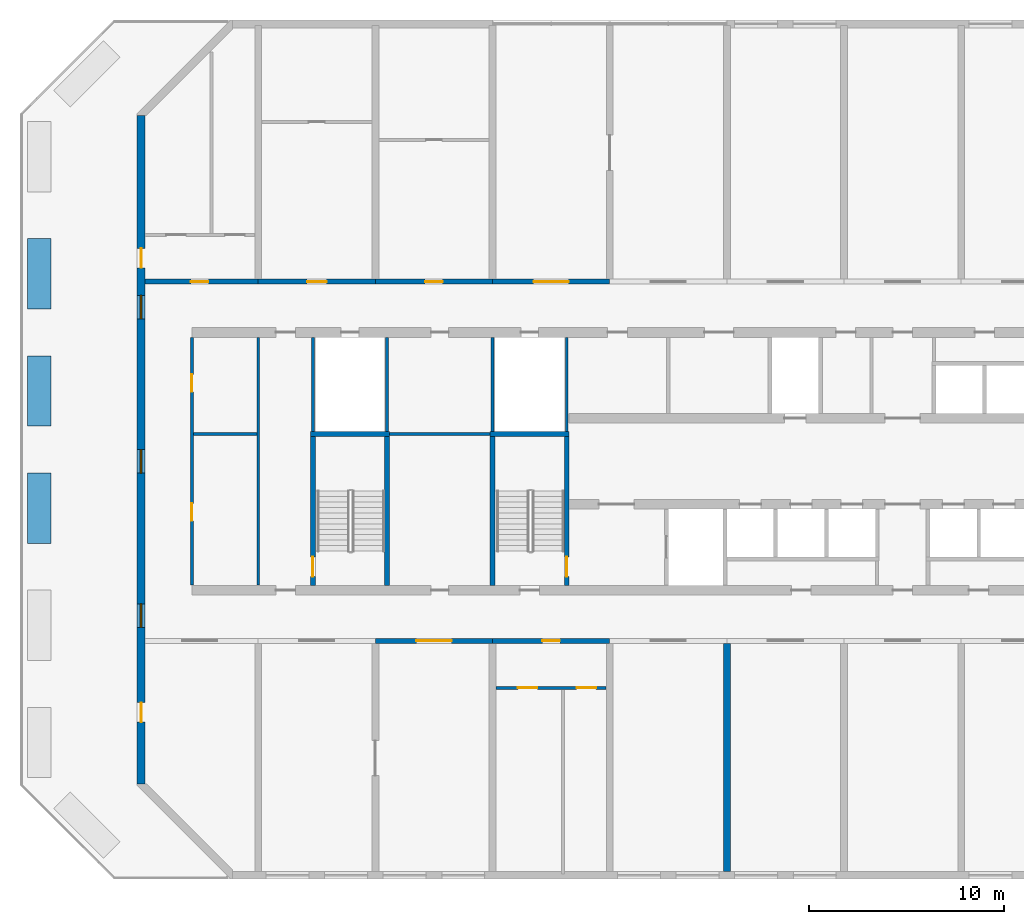
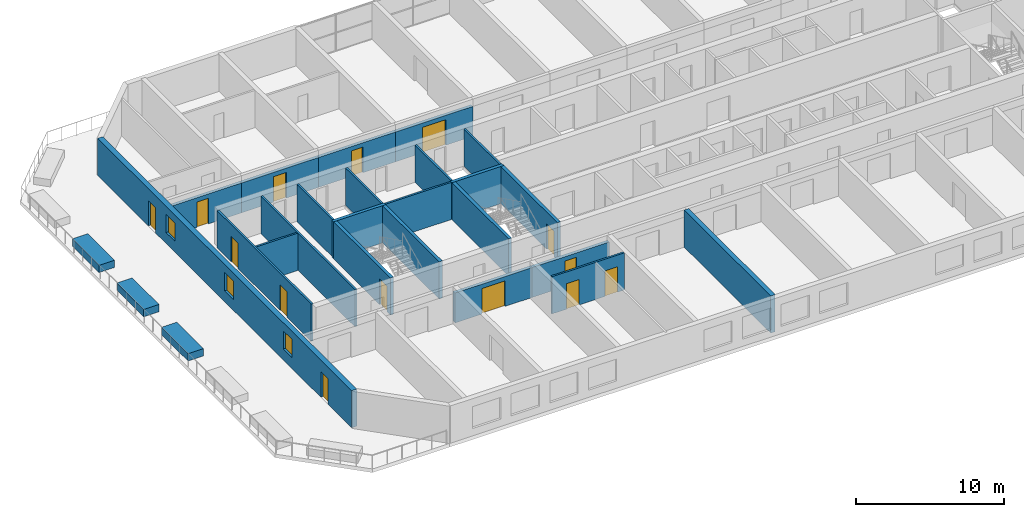
# One storey, part 7 of 18: 26 walls, 14 doors, 3 windows, 17 openings.
"""IFC4 building model written with IfcOpenShell, lengths in metres."""

from ifc_helpers import new_model, si_unit, direction, frame, frame_2d, origin, place, context, subcontext, project, spatial, polyline, rectangle, outline, extrude, source, transform, mapped, material, layer, layer_set, type_object, element, fill, save


model = new_model("IFC4")

# Units and contexts
model_context = context("Model", 3, precision=1e-05, world=origin(), true_north=direction((0.0, 1.0)))
body_context = subcontext(model_context, "Body", "Model", "MODEL_VIEW")
ifc_project = project(units=[si_unit("LENGTHUNIT", "METRE"), si_unit("AREAUNIT", "SQUARE_METRE"), si_unit("VOLUMEUNIT", "CUBIC_METRE"), si_unit("PLANEANGLEUNIT", "RADIAN"), si_unit("MASSUNIT", "GRAM", prefix="KILO")], contexts=[model_context])

# Site, building, storey
site_placement = place(None, origin())
site = spatial("IfcSite", under=ifc_project, at=site_placement, CompositionType="ELEMENT")
building_placement = place(site_placement, origin())
building = spatial("IfcBuilding", under=site, at=building_placement, Name="Poui Terraces", CompositionType="ELEMENT")
storey_placement = place(building_placement, frame((0.0, 0.0, 105.89990234375)))
storey = spatial("IfcBuildingStorey", under=building, at=storey_placement, Name="L29", CompositionType="ELEMENT", Elevation=105.89990234375)

# Wall, openings, doors
ifc_material_1 = material(Name="Fire-rated plasterboard wall")
ifc_layer_1 = layer(ifc_material_1, 0.14990234375)
ifc_layer_set_1 = layer_set([ifc_layer_1], Name="Fire-rated plasterboard wall")
wall_type_1 = type_object("IfcWallType", Name="CORRIDOR WALL 150", PredefinedType="PARTITIONING", material=ifc_layer_set_1)
wall_1_placement = place(storey_placement, frame((30.18505859375, 9.60009765625, 0.0), z_axis=(0.0, 0.0, 1.0), x_axis=(1.0, 0.0, 0.0)))
wall_1 = element("IfcWall", 1, at=wall_1_placement, inside=storey, type_object=wall_type_1, Name="CORRIDOR WALL 150", PredefinedType="PARTITIONING", context=body_context, shape_type="SweptSolid", body=[
    extrude(rectangle(XDim=5.6298828125, YDim=0.14990234375, at=frame_2d((2.81494140625, 0.0))), origin(), (0.0, 0.0, 1.0), 3.06005859375),
])
opening_1_placement = place(wall_1_placement, frame((1.114990234375, 0.0, 0.0)))
opening_1 = element("IfcOpeningElement", 2, at=opening_1_placement, cuts=wall_1, Name="Opening D100", PredefinedType="OPENING", context=body_context, shape_type="SweptSolid", body=[
    extrude(rectangle(XDim=1.0, YDim=2.10009765625, at=frame_2d((0.5, 1.050048828125))), frame((0.0, 0.0849609375, 0.0), z_axis=(0.0, -1.0, 0.0), x_axis=(1.0, 0.0, 0.0)), (0.0, 0.0, 1.0), 0.169921875),
])
opening_2_placement = place(wall_1_placement, frame((4.114990234375, 0.0, 0.0)))
opening_2 = element("IfcOpeningElement", 3, at=opening_2_placement, cuts=wall_1, Name="Opening D100", PredefinedType="OPENING", context=body_context, shape_type="SweptSolid", body=[
    extrude(rectangle(XDim=1.0, YDim=2.10009765625, at=frame_2d((0.5, 1.050048828125))), frame((0.0, 0.0849609375, 0.0), z_axis=(0.0, -1.0, 0.0), x_axis=(1.0, 0.0, 0.0)), (0.0, 0.0, 1.0), 0.169921875),
])
ifc_material_2 = material(Name="Solid core timber door", Category="wood")
door_type_1 = type_object("IfcDoorType", Name="ACCESSIBLE INTERNAL DOOR 1000 X 2100", OperationType="NOTDEFINED", PredefinedType="DOOR", material=ifc_material_2)
door_1_placement = place(opening_1_placement, origin())
door_1 = element("IfcDoor", 4, at=door_1_placement, inside=storey, type_object=door_type_1, Name="ACCESSIBLE INTERNAL DOOR 067", OperationType="SINGLE_SWING_LEFT", OverallHeight=2.10009765625, OverallWidth=1.0, PredefinedType="DOOR", context=body_context, shape_type="SweptSolid", body=[
    extrude(rectangle(XDim=1.0, YDim=2.10009765625, at=frame_2d((0.5, 1.050048828125))), frame((0.0, 0.02490234375, 0.0), z_axis=(0.0, -1.0, 0.0), x_axis=(1.0, 0.0, 0.0)), (0.0, 0.0, 1.0), 0.050048828125),
])
fill(opening_1, door_1)
door_2_placement = place(opening_2_placement, origin())
door_2 = element("IfcDoor", 5, at=door_2_placement, inside=storey, type_object=door_type_1, Name="ACCESSIBLE INTERNAL DOOR 068", OperationType="SINGLE_SWING_RIGHT", OverallHeight=2.10009765625, OverallWidth=1.0, PredefinedType="DOOR", context=body_context, shape_type="SweptSolid", body=[
    extrude(rectangle(XDim=1.0, YDim=2.10009765625, at=frame_2d((0.5, 1.050048828125))), frame((0.0, 0.02490234375, 0.0), z_axis=(0.0, -1.0, 0.0), x_axis=(1.0, 0.0, 0.0)), (0.0, 0.0, 1.0), 0.050048828125),
])
fill(opening_2, door_2)

wall_2_placement = place(storey_placement, frame((14.60009765625, 14.860107421875, 0.0), z_axis=(0.0, 0.0, 1.0), x_axis=(0.0, 1.0, 0.0)))
wall_2 = element("IfcWall", 6, at=wall_2_placement, inside=storey, type_object=wall_type_1, Name="CORRIDOR WALL 150", PredefinedType="PARTITIONING", context=body_context, shape_type="SweptSolid", body=[
    extrude(rectangle(XDim=12.679931640625, YDim=0.14990234375, at=frame_2d((6.33984375, 0.0))), origin(), (0.0, 0.0, 1.0), 3.06005859375),
])
opening_3_placement = place(wall_2_placement, frame((3.2900390625, 0.0, 0.0)))
opening_3 = element("IfcOpeningElement", 7, at=opening_3_placement, cuts=wall_2, Name="Opening D90", PredefinedType="OPENING", context=body_context, shape_type="SweptSolid", body=[
    extrude(rectangle(XDim=0.89990234375, YDim=2.10009765625, at=frame_2d((0.449951171875, 1.050048828125))), frame((0.0, 0.0849609375, 0.0), z_axis=(0.0, -1.0, 0.0), x_axis=(1.0, 0.0, 0.0)), (0.0, 0.0, 1.0), 0.169921875),
])
opening_4_placement = place(wall_2_placement, frame((9.889892578125, 0.0, 0.0)))
opening_4 = element("IfcOpeningElement", 8, at=opening_4_placement, cuts=wall_2, Name="Opening D90", PredefinedType="OPENING", context=body_context, shape_type="SweptSolid", body=[
    extrude(rectangle(XDim=0.89990234375, YDim=2.10009765625, at=frame_2d((0.449951171875, 1.050048828125))), frame((0.0, 0.0849609375, 0.0), z_axis=(0.0, -1.0, 0.0), x_axis=(1.0, 0.0, 0.0)), (0.0, 0.0, 1.0), 0.169921875),
])
door_type_2 = type_object("IfcDoorType", Name="INTERNAL DOOR 900 X 2100", OperationType="NOTDEFINED", PredefinedType="DOOR", material=ifc_material_2)
door_3_placement = place(opening_3_placement, origin())
door_3 = element("IfcDoor", 9, at=door_3_placement, inside=storey, type_object=door_type_2, Name="INTERNAL DOOR 054", OperationType="SINGLE_SWING_LEFT", OverallHeight=2.10009765625, OverallWidth=0.89990234375, PredefinedType="DOOR", context=body_context, shape_type="SweptSolid", body=[
    extrude(rectangle(XDim=0.89990234375, YDim=2.10009765625, at=frame_2d((0.449951171875, 1.050048828125))), frame((0.0, 0.02490234375, 0.0), z_axis=(0.0, -1.0, 0.0), x_axis=(1.0, 0.0, 0.0)), (0.0, 0.0, 1.0), 0.050048828125),
])
fill(opening_3, door_3)
door_4_placement = place(opening_4_placement, origin())
door_4 = element("IfcDoor", 10, at=door_4_placement, inside=storey, type_object=door_type_2, Name="INTERNAL DOOR 055", OperationType="SINGLE_SWING_RIGHT", OverallHeight=2.10009765625, OverallWidth=0.89990234375, PredefinedType="DOOR", context=body_context, shape_type="SweptSolid", body=[
    extrude(rectangle(XDim=0.89990234375, YDim=2.10009765625, at=frame_2d((0.449951171875, 1.050048828125))), frame((0.0, 0.02490234375, 0.0), z_axis=(0.0, -1.0, 0.0), x_axis=(1.0, 0.0, 0.0)), (0.0, 0.0, 1.0), 0.050048828125),
])
fill(opening_4, door_4)

# Wall
wall_3_placement = place(storey_placement, frame((18.0, 14.860107421875, 0.0), z_axis=(0.0, 0.0, 1.0), x_axis=(0.0, 1.0, 0.0)))
element("IfcWall", 11, at=wall_3_placement, inside=storey, type_object=wall_type_1, Name="CORRIDOR WALL 150", PredefinedType="PARTITIONING", context=body_context, shape_type="SweptSolid", body=[
    extrude(rectangle(XDim=12.679931640625, YDim=0.14990234375, at=frame_2d((6.33984375, 0.0))), origin(), (0.0, 0.0, 1.0), 3.06005859375),
])

# Wall, opening, door
ifc_material_3 = material(Name="Concrete 65 MPa", Category="concrete")
ifc_layer_2 = layer(ifc_material_3, 0.25)
ifc_layer_set_2 = layer_set([ifc_layer_2], Name="Concrete 65 MPa")
wall_type_2 = type_object("IfcWallType", Name="CORRIDOR WALL 250 65MPa", PredefinedType="SHEAR", material=ifc_layer_set_2)
wall_4_placement = place(storey_placement, frame((24.0, 12.0, 0.0), z_axis=(0.0, 0.0, 1.0), x_axis=(1.0, 0.0, 0.0)))
wall_4 = element("IfcWall", 12, at=wall_4_placement, inside=storey, type_object=wall_type_2, Name="CORRIDOR WALL LINE B BAY 3", PredefinedType="SHEAR", context=body_context, shape_type="SweptSolid", body=[
    extrude(rectangle(XDim=6.0, YDim=0.25, at=frame_2d((3.0, 0.0))), origin(), (0.0, 0.0, 1.0), 2.460205078125),
])
opening_5_placement = place(wall_4_placement, frame((2.10009765625, 0.0, 0.0)))
opening_5 = element("IfcOpeningElement", 13, at=opening_5_placement, cuts=wall_4, Name="Opening DD180", PredefinedType="OPENING", context=body_context, shape_type="SweptSolid", body=[
    extrude(rectangle(XDim=1.800048828125, YDim=2.10009765625, at=frame_2d((0.89990234375, 1.050048828125))), frame((0.0, 0.135009765625, 0.0), z_axis=(0.0, -1.0, 0.0), x_axis=(1.0, 0.0, 0.0)), (0.0, 0.0, 1.0), 0.27001953125),
])
ifc_material_4 = material(Name="Steel fire door", Category="steel")
door_type_3 = type_object("IfcDoorType", Name="DOUBLE INTERNAL DOOR 1800 X 2100", OperationType="DOUBLE_DOOR_SINGLE_SWING", PredefinedType="DOOR", material=ifc_material_4)
door_5_placement = place(opening_5_placement, origin())
door_5 = element("IfcDoor", 14, at=door_5_placement, inside=storey, type_object=door_type_3, Name="DOUBLE INTERNAL DOOR 034", OperationType="DOUBLE_DOOR_SINGLE_SWING", OverallHeight=2.10009765625, OverallWidth=1.800048828125, PredefinedType="DOOR", context=body_context, shape_type="SweptSolid", body=[
    extrude(rectangle(XDim=1.800048828125, YDim=2.10009765625, at=frame_2d((0.89990234375, 1.050048828125))), frame((0.0, 0.02490234375, 0.0), z_axis=(0.0, -1.0, 0.0), x_axis=(1.0, 0.0, 0.0)), (0.0, 0.0, 1.0), 0.050048828125),
])
fill(opening_5, door_5)

wall_5_placement = place(storey_placement, frame((30.0, 12.0, 0.0), z_axis=(0.0, 0.0, 1.0), x_axis=(1.0, 0.0, 0.0)))
wall_5 = element("IfcWall", 15, at=wall_5_placement, inside=storey, type_object=wall_type_2, Name="CORRIDOR WALL LINE B BAY 4", PredefinedType="SHEAR", context=body_context, shape_type="SweptSolid", body=[
    extrude(rectangle(XDim=6.0, YDim=0.25, at=frame_2d((3.0, 0.0))), origin(), (0.0, 0.0, 1.0), 2.460205078125),
])
opening_6_placement = place(wall_5_placement, frame((2.550048828125, 0.0, 0.0)))
opening_6 = element("IfcOpeningElement", 16, at=opening_6_placement, cuts=wall_5, Name="Opening D90", PredefinedType="OPENING", context=body_context, shape_type="SweptSolid", body=[
    extrude(rectangle(XDim=0.89990234375, YDim=2.10009765625, at=frame_2d((0.449951171875, 1.050048828125))), frame((0.0, 0.135009765625, 0.0), z_axis=(0.0, -1.0, 0.0), x_axis=(1.0, 0.0, 0.0)), (0.0, 0.0, 1.0), 0.27001953125),
])
door_6_placement = place(opening_6_placement, origin())
door_6 = element("IfcDoor", 17, at=door_6_placement, inside=storey, type_object=door_type_2, Name="INTERNAL DOOR 037", OperationType="SINGLE_SWING_RIGHT", OverallHeight=2.10009765625, OverallWidth=0.89990234375, PredefinedType="DOOR", context=body_context, shape_type="SweptSolid", body=[
    extrude(rectangle(XDim=0.89990234375, YDim=2.10009765625, at=frame_2d((0.449951171875, 1.050048828125))), frame((0.0, 0.02490234375, 0.0), z_axis=(0.0, -1.0, 0.0), x_axis=(1.0, 0.0, 0.0)), (0.0, 0.0, 1.0), 0.050048828125),
])
fill(opening_6, door_6)

wall_6_placement = place(storey_placement, frame((12.199951171875, 30.39990234375, 0.0), z_axis=(0.0, 0.0, 1.0), x_axis=(1.0, 0.0, 0.0)))
wall_6 = element("IfcWall", 18, at=wall_6_placement, inside=storey, type_object=wall_type_2, Name="CORRIDOR WALL LINE E BAY 1", PredefinedType="SHEAR", context=body_context, shape_type="SweptSolid", body=[
    extrude(rectangle(XDim=5.800048828125, YDim=0.25, at=frame_2d((2.89990234375, 0.0))), origin(), (0.0, 0.0, 1.0), 2.460205078125),
])
opening_7_placement = place(wall_6_placement, frame((2.35009765625, 0.0, 0.0)))
opening_7 = element("IfcOpeningElement", 19, at=opening_7_placement, cuts=wall_6, Name="Opening D90", PredefinedType="OPENING", context=body_context, shape_type="SweptSolid", body=[
    extrude(rectangle(XDim=0.89990234375, YDim=2.10009765625, at=frame_2d((0.449951171875, 1.050048828125))), frame((0.0, 0.135009765625, 0.0), z_axis=(0.0, -1.0, 0.0), x_axis=(1.0, 0.0, 0.0)), (0.0, 0.0, 1.0), 0.27001953125),
])
door_7_placement = place(opening_7_placement, frame((0.89990234375, 0.0, 0.0), z_axis=(0.0, 0.0, 1.0), x_axis=(-1.0, 0.0, 0.0)))
door_7 = element("IfcDoor", 20, at=door_7_placement, inside=storey, type_object=door_type_2, Name="INTERNAL DOOR 003", OperationType="SINGLE_SWING_RIGHT", OverallHeight=2.10009765625, OverallWidth=0.89990234375, PredefinedType="DOOR", context=body_context, shape_type="SweptSolid", body=[
    extrude(rectangle(XDim=0.89990234375, YDim=2.10009765625, at=frame_2d((0.449951171875, 1.050048828125))), frame((0.0, 0.02490234375, 0.0), z_axis=(0.0, -1.0, 0.0), x_axis=(1.0, 0.0, 0.0)), (0.0, 0.0, 1.0), 0.050048828125),
])
fill(opening_7, door_7)

wall_7_placement = place(storey_placement, frame((18.0, 30.39990234375, 0.0), z_axis=(0.0, 0.0, 1.0), x_axis=(1.0, 0.0, 0.0)))
wall_7 = element("IfcWall", 21, at=wall_7_placement, inside=storey, type_object=wall_type_2, Name="CORRIDOR WALL LINE E BAY 2", PredefinedType="SHEAR", context=body_context, shape_type="SweptSolid", body=[
    extrude(rectangle(XDim=6.0, YDim=0.25, at=frame_2d((3.0, 0.0))), origin(), (0.0, 0.0, 1.0), 2.460205078125),
])
opening_8_placement = place(wall_7_placement, frame((2.5, 0.0, 0.0)))
opening_8 = element("IfcOpeningElement", 22, at=opening_8_placement, cuts=wall_7, Name="Opening D100", PredefinedType="OPENING", context=body_context, shape_type="SweptSolid", body=[
    extrude(rectangle(XDim=1.0, YDim=2.10009765625, at=frame_2d((0.5, 1.050048828125))), frame((0.0, 0.135009765625, 0.0), z_axis=(0.0, -1.0, 0.0), x_axis=(1.0, 0.0, 0.0)), (0.0, 0.0, 1.0), 0.27001953125),
])
door_8_placement = place(opening_8_placement, frame((1.0, 0.0, 0.0), z_axis=(0.0, 0.0, 1.0), x_axis=(-1.0, 0.0, 0.0)))
door_8 = element("IfcDoor", 23, at=door_8_placement, inside=storey, type_object=door_type_1, Name="ACCESSIBLE INTERNAL DOOR 005", OperationType="SINGLE_SWING_LEFT", OverallHeight=2.10009765625, OverallWidth=1.0, PredefinedType="DOOR", context=body_context, shape_type="SweptSolid", body=[
    extrude(rectangle(XDim=1.0, YDim=2.10009765625, at=frame_2d((0.5, 1.050048828125))), frame((0.0, 0.02490234375, 0.0), z_axis=(0.0, -1.0, 0.0), x_axis=(1.0, 0.0, 0.0)), (0.0, 0.0, 1.0), 0.050048828125),
])
fill(opening_8, door_8)

wall_8_placement = place(storey_placement, frame((24.0, 30.39990234375, 0.0), z_axis=(0.0, 0.0, 1.0), x_axis=(1.0, 0.0, 0.0)))
wall_8 = element("IfcWall", 24, at=wall_8_placement, inside=storey, type_object=wall_type_2, Name="CORRIDOR WALL LINE E BAY 3", PredefinedType="SHEAR", context=body_context, shape_type="SweptSolid", body=[
    extrude(rectangle(XDim=6.0, YDim=0.25, at=frame_2d((3.0, 0.0))), origin(), (0.0, 0.0, 1.0), 2.460205078125),
])
opening_9_placement = place(wall_8_placement, frame((2.550048828125, 0.0, 0.0)))
opening_9 = element("IfcOpeningElement", 25, at=opening_9_placement, cuts=wall_8, Name="Opening D90", PredefinedType="OPENING", context=body_context, shape_type="SweptSolid", body=[
    extrude(rectangle(XDim=0.89990234375, YDim=2.10009765625, at=frame_2d((0.449951171875, 1.050048828125))), frame((0.0, 0.135009765625, 0.0), z_axis=(0.0, -1.0, 0.0), x_axis=(1.0, 0.0, 0.0)), (0.0, 0.0, 1.0), 0.27001953125),
])
door_9_placement = place(opening_9_placement, frame((0.89990234375, 0.0, 0.0), z_axis=(0.0, 0.0, 1.0), x_axis=(-1.0, 0.0, 0.0)))
door_9 = element("IfcDoor", 26, at=door_9_placement, inside=storey, type_object=door_type_2, Name="INTERNAL DOOR 007", OperationType="SINGLE_SWING_RIGHT", OverallHeight=2.10009765625, OverallWidth=0.89990234375, PredefinedType="DOOR", context=body_context, shape_type="SweptSolid", body=[
    extrude(rectangle(XDim=0.89990234375, YDim=2.10009765625, at=frame_2d((0.449951171875, 1.050048828125))), frame((0.0, 0.02490234375, 0.0), z_axis=(0.0, -1.0, 0.0), x_axis=(1.0, 0.0, 0.0)), (0.0, 0.0, 1.0), 0.050048828125),
])
fill(opening_9, door_9)

wall_9_placement = place(storey_placement, frame((30.0, 30.39990234375, 0.0), z_axis=(0.0, 0.0, 1.0), x_axis=(1.0, 0.0, 0.0)))
wall_9 = element("IfcWall", 27, at=wall_9_placement, inside=storey, type_object=wall_type_2, Name="CORRIDOR WALL LINE E BAY 4", PredefinedType="SHEAR", context=body_context, shape_type="SweptSolid", body=[
    extrude(rectangle(XDim=6.0, YDim=0.25, at=frame_2d((3.0, 0.0))), origin(), (0.0, 0.0, 1.0), 2.460205078125),
])
opening_10_placement = place(wall_9_placement, frame((2.10009765625, 0.0, 0.0)))
opening_10 = element("IfcOpeningElement", 28, at=opening_10_placement, cuts=wall_9, Name="Opening DD180", PredefinedType="OPENING", context=body_context, shape_type="SweptSolid", body=[
    extrude(rectangle(XDim=1.800048828125, YDim=2.10009765625, at=frame_2d((0.89990234375, 1.050048828125))), frame((0.0, 0.135009765625, 0.0), z_axis=(0.0, -1.0, 0.0), x_axis=(1.0, 0.0, 0.0)), (0.0, 0.0, 1.0), 0.27001953125),
])
door_10_placement = place(opening_10_placement, frame((1.800048828125, 0.0, 0.0), z_axis=(0.0, 0.0, 1.0), x_axis=(-1.0, 0.0, 0.0)))
door_10 = element("IfcDoor", 29, at=door_10_placement, inside=storey, type_object=door_type_3, Name="DOUBLE INTERNAL DOOR 010", OperationType="DOUBLE_DOOR_SINGLE_SWING", OverallHeight=2.10009765625, OverallWidth=1.800048828125, PredefinedType="DOOR", context=body_context, shape_type="SweptSolid", body=[
    extrude(rectangle(XDim=1.800048828125, YDim=2.10009765625, at=frame_2d((0.89990234375, 1.050048828125))), frame((0.0, 0.02490234375, 0.0), z_axis=(0.0, -1.0, 0.0), x_axis=(1.0, 0.0, 0.0)), (0.0, 0.0, 1.0), 0.050048828125),
])
fill(opening_10, door_10)

# Wall
ifc_layer_3 = layer(ifc_material_3, 0.35009765625)
ifc_layer_set_3 = layer_set([ifc_layer_3], Name="Concrete 65 MPa")
wall_type_3 = type_object("IfcWallType", Name="CROSS WALL 350 65MPa", PredefinedType="SHEAR", material=ifc_layer_set_3)
wall_10_placement = place(storey_placement, frame((42.0, 0.199951171875, 0.0), z_axis=(0.0, 0.0, 1.0), x_axis=(0.0, 1.0, 0.0)))
element("IfcWall", 30, at=wall_10_placement, inside=storey, type_object=wall_type_3, Name="CROSS WALL LINE 8 SOUTH", PredefinedType="SHEAR", context=body_context, shape_type="SweptSolid", body=[
    extrude(rectangle(XDim=11.675048828125, YDim=0.35009765625, at=frame_2d((5.83740234375, 0.0))), origin(), (0.0, 0.0, 1.0), 3.06005859375),
])

# Wall, openings, doors, windows
ifc_layer_4 = layer(ifc_material_3, 0.39990234375)
ifc_layer_set_4 = layer_set([ifc_layer_4], Name="Concrete 65 MPa")
wall_type_4 = type_object("IfcWallType", Name="END WALL 400 65MPa", PredefinedType="SHEAR", material=ifc_layer_set_4)
wall_11_placement = place(storey_placement, frame((12.0, 4.682861328125, 0.0), z_axis=(0.0, 0.0, 1.0), x_axis=(0.0, 1.0, 0.0)))
wall_11 = element("IfcWall", 31, at=wall_11_placement, inside=storey, type_object=wall_type_4, Name="END WALL WEST", PredefinedType="SHEAR", context=body_context, shape_type="SweptSolid", body=[
    extrude(rectangle(XDim=34.234375, YDim=0.39990234375, at=frame_2d((17.1171875, 0.0))), origin(), (0.0, 0.0, 1.0), 3.06005859375),
])
opening_11_placement = place(wall_11_placement, frame((23.817138671875, 0.0, 0.89990234375)))
opening_11 = element("IfcOpeningElement", 32, at=opening_11_placement, cuts=wall_11, Name="Opening W2", PredefinedType="OPENING", context=body_context, shape_type="SweptSolid", body=[
    extrude(rectangle(XDim=1.199951171875, YDim=1.5, at=frame_2d((0.60009765625, 0.75))), frame((0.0, 0.2099609375, 0.0), z_axis=(0.0, -1.0, 0.0), x_axis=(1.0, 0.0, 0.0)), (0.0, 0.0, 1.0), 0.419921875),
])
opening_12_placement = place(wall_11_placement, frame((8.01708984375, 0.0, 0.89990234375)))
opening_12 = element("IfcOpeningElement", 33, at=opening_12_placement, cuts=wall_11, Name="Opening W2", PredefinedType="OPENING", context=body_context, shape_type="SweptSolid", body=[
    extrude(rectangle(XDim=1.199951171875, YDim=1.5, at=frame_2d((0.60009765625, 0.75))), frame((0.0, 0.2099609375, 0.0), z_axis=(0.0, -1.0, 0.0), x_axis=(1.0, 0.0, 0.0)), (0.0, 0.0, 1.0), 0.419921875),
])
opening_13_placement = place(wall_11_placement, frame((15.917236328125, 0.0, 0.89990234375)))
opening_13 = element("IfcOpeningElement", 34, at=opening_13_placement, cuts=wall_11, Name="Opening W2", PredefinedType="OPENING", context=body_context, shape_type="SweptSolid", body=[
    extrude(rectangle(XDim=1.199951171875, YDim=1.5, at=frame_2d((0.60009765625, 0.75))), frame((0.0, 0.2099609375, 0.0), z_axis=(0.0, -1.0, 0.0), x_axis=(1.0, 0.0, 0.0)), (0.0, 0.0, 1.0), 0.419921875),
])
opening_14_placement = place(wall_11_placement, frame((26.417236328125, 0.0, 0.0)))
opening_14 = element("IfcOpeningElement", 35, at=opening_14_placement, cuts=wall_11, Name="Opening XD100", PredefinedType="OPENING", context=body_context, shape_type="SweptSolid", body=[
    extrude(rectangle(XDim=1.0, YDim=2.10009765625, at=frame_2d((0.5, 1.050048828125))), frame((0.0, 0.2099609375, 0.0), z_axis=(0.0, -1.0, 0.0), x_axis=(1.0, 0.0, 0.0)), (0.0, 0.0, 1.0), 0.419921875),
])
opening_15_placement = place(wall_11_placement, frame((3.15869140625, 0.0, 0.0)))
opening_15 = element("IfcOpeningElement", 36, at=opening_15_placement, cuts=wall_11, Name="Opening XD100", PredefinedType="OPENING", context=body_context, shape_type="SweptSolid", body=[
    extrude(rectangle(XDim=1.0, YDim=2.10009765625, at=frame_2d((0.5, 1.050048828125))), frame((0.0, 0.2099609375, 0.0), z_axis=(0.0, -1.0, 0.0), x_axis=(1.0, 0.0, 0.0)), (0.0, 0.0, 1.0), 0.419921875),
])
ifc_material_5 = material(Name="Aluminium glazed door", Category="aluminium")
door_type_4 = type_object("IfcDoorType", Name="EXTERNAL DOOR 1000 X 2100", OperationType="NOTDEFINED", PredefinedType="DOOR", material=ifc_material_5)
door_11_placement = place(opening_14_placement, origin())
door_11 = element("IfcDoor", 37, at=door_11_placement, inside=storey, type_object=door_type_4, Name="EXTERNAL DOOR 056", OperationType="SINGLE_SWING_RIGHT", OverallHeight=2.10009765625, OverallWidth=1.0, PredefinedType="DOOR", context=body_context, shape_type="SweptSolid", body=[
    extrude(rectangle(XDim=1.0, YDim=2.10009765625, at=frame_2d((0.5, 1.050048828125))), frame((0.0, 0.02490234375, 0.0), z_axis=(0.0, -1.0, 0.0), x_axis=(1.0, 0.0, 0.0)), (0.0, 0.0, 1.0), 0.050048828125),
])
fill(opening_14, door_11)
door_12_placement = place(opening_15_placement, origin())
door_12 = element("IfcDoor", 38, at=door_12_placement, inside=storey, type_object=door_type_4, Name="EXTERNAL DOOR 065", OperationType="SINGLE_SWING_RIGHT", OverallHeight=2.10009765625, OverallWidth=1.0, PredefinedType="DOOR", context=body_context, shape_type="SweptSolid", body=[
    extrude(rectangle(XDim=1.0, YDim=2.10009765625, at=frame_2d((0.5, 1.050048828125))), frame((0.0, 0.02490234375, 0.0), z_axis=(0.0, -1.0, 0.0), x_axis=(1.0, 0.0, 0.0)), (0.0, 0.0, 1.0), 0.050048828125),
])
fill(opening_15, door_12)
ifc_material_6 = material(Name="Clear glass in aluminium frame", Category="aluminium")
window_type = type_object("IfcWindowType", Name="WINDOW 1200X1500", PartitioningType="SINGLE_PANEL", PredefinedType="WINDOW", material=ifc_material_6)
window_1_placement = place(opening_11_placement, origin())
window_1 = element("IfcWindow", 39, at=window_1_placement, inside=storey, type_object=window_type, Name="W2 WINDOW", OverallHeight=1.5, OverallWidth=1.199951171875, PartitioningType="SINGLE_PANEL", PredefinedType="WINDOW", context=body_context, shape_type="SweptSolid", body=[
    extrude(rectangle(XDim=1.199951171875, YDim=1.5, at=frame_2d((0.60009765625, 0.75))), frame((0.0, 0.030029296875, 0.0), z_axis=(0.0, -1.0, 0.0), x_axis=(1.0, 0.0, 0.0)), (0.0, 0.0, 1.0), 0.06005859375),
])
fill(opening_11, window_1)
window_2_placement = place(opening_12_placement, origin())
window_2 = element("IfcWindow", 40, at=window_2_placement, inside=storey, type_object=window_type, Name="W2 WINDOW", OverallHeight=1.5, OverallWidth=1.199951171875, PartitioningType="SINGLE_PANEL", PredefinedType="WINDOW", context=body_context, shape_type="SweptSolid", body=[
    extrude(rectangle(XDim=1.199951171875, YDim=1.5, at=frame_2d((0.60009765625, 0.75))), frame((0.0, 0.030029296875, 0.0), z_axis=(0.0, -1.0, 0.0), x_axis=(1.0, 0.0, 0.0)), (0.0, 0.0, 1.0), 0.06005859375),
])
fill(opening_12, window_2)
window_3_placement = place(opening_13_placement, origin())
window_3 = element("IfcWindow", 41, at=window_3_placement, inside=storey, type_object=window_type, Name="W2 WINDOW", OverallHeight=1.5, OverallWidth=1.199951171875, PartitioningType="SINGLE_PANEL", PredefinedType="WINDOW", context=body_context, shape_type="SweptSolid", body=[
    extrude(rectangle(XDim=1.199951171875, YDim=1.5, at=frame_2d((0.60009765625, 0.75))), frame((0.0, 0.030029296875, 0.0), z_axis=(0.0, -1.0, 0.0), x_axis=(1.0, 0.0, 0.0)), (0.0, 0.0, 1.0), 0.06005859375),
])
fill(opening_13, window_3)

# Walls
ifc_material_7 = material(Name="Plasterboard partition")
ifc_layer_5 = layer(ifc_material_7, 0.14990234375)
ifc_layer_set_5 = layer_set([ifc_layer_5], Name="Plasterboard partition")
wall_type_5 = type_object("IfcWallType", Name="PARTITION WALL 150", PredefinedType="PARTITIONING", material=ifc_layer_set_5)
wall_12_placement = place(storey_placement, frame((14.675048828125, 22.60009765625, 0.0), z_axis=(0.0, 0.0, 1.0), x_axis=(1.0, 0.0, 0.0)))
element("IfcWall", 42, at=wall_12_placement, inside=storey, type_object=wall_type_5, Name="PARTITION WALL 150", PredefinedType="PARTITIONING", context=body_context, shape_type="SweptSolid", body=[
    extrude(rectangle(XDim=3.25, YDim=0.14990234375, at=frame_2d((1.625, 0.0))), origin(), (0.0, 0.0, 1.0), 3.06005859375),
])
wall_13_placement = place(storey_placement, frame((24.735107421875, 22.60009765625, 0.0), z_axis=(0.0, 0.0, 1.0), x_axis=(1.0, 0.0, 0.0)))
element("IfcWall", 43, at=wall_13_placement, inside=storey, type_object=wall_type_5, Name="PARTITION WALL 150", PredefinedType="PARTITIONING", context=body_context, shape_type="SweptSolid", body=[
    extrude(rectangle(XDim=5.1298828125, YDim=0.14990234375, at=frame_2d((2.56494140625, 0.0))), origin(), (0.0, 0.0, 1.0), 3.06005859375),
])
ifc_material_8 = material(Name="Fire-rated plasterboard riser wall")
ifc_layer_6 = layer(ifc_material_8, 0.14990234375)
ifc_layer_set_6 = layer_set([ifc_layer_6], Name="Fire-rated plasterboard riser wall")
wall_type_6 = type_object("IfcWallType", Name="RISER WALL 150", PredefinedType="PARTITIONING", material=ifc_layer_set_6)
for number, where, z_axis, x_axis, name in (
    (44, (20.800048828125, 22.735107421875, 0.0), (0.0, 0.0, 1.0), (0.0, 1.0, 0.0), "RISER WALL 150"),
    (45, (24.60009765625, 22.735107421875, 0.0), (0.0, 0.0, 1.0), (0.0, 1.0, 0.0), "RISER WALL 150"),
    (46, (30.0, 22.735107421875, 0.0), (0.0, 0.0, 1.0), (0.0, 1.0, 0.0), "RISER WALL 150"),
    (47, (33.800048828125, 22.735107421875, 0.0), (0.0, 0.0, 1.0), (0.0, 1.0, 0.0), "RISER WALL 150"),
):
    element("IfcWall", number, at=place(storey_placement, frame(where, z_axis=z_axis, x_axis=x_axis)), inside=storey, type_object=wall_type_6, Name=name, PredefinedType="PARTITIONING", context=body_context, shape_type="SweptSolid", body=[
        extrude(rectangle(XDim=4.804931640625, YDim=0.14990234375, at=frame_2d((2.40234375, 0.0))), origin(), (0.0, 0.0, 1.0), 3.06005859375),
    ])
ifc_layer_7 = layer(ifc_material_3, 0.25)
ifc_layer_set_7 = layer_set([ifc_layer_7], Name="Concrete 65 MPa")
wall_type_7 = type_object("IfcWallType", Name="STAIR CORE WALL 250 65 MPA", PredefinedType="SOLIDWALL", material=ifc_layer_set_7)
wall_14_placement = place(storey_placement, frame((30.0, 14.85009765625, 0.0), z_axis=(0.0, 0.0, 1.0), x_axis=(0.0, 1.0, 0.0)))
element("IfcWall", 48, at=wall_14_placement, inside=storey, type_object=wall_type_7, Name="STAIR CORE WALL", PredefinedType="SOLIDWALL", context=body_context, shape_type="SweptSolid", body=[
    extrude(rectangle(XDim=7.625, YDim=0.25, at=frame_2d((3.8125, 0.0))), origin(), (0.0, 0.0, 1.0), 3.06005859375),
])

# Wall, opening, door
wall_15_placement = place(storey_placement, frame((33.800048828125, 14.85009765625, 0.0), z_axis=(0.0, 0.0, 1.0), x_axis=(0.0, 1.0, 0.0)))
wall_15 = element("IfcWall", 49, at=wall_15_placement, inside=storey, type_object=wall_type_7, Name="STAIR CORE WALL", PredefinedType="SOLIDWALL", context=body_context, shape_type="SweptSolid", body=[
    extrude(rectangle(XDim=7.625, YDim=0.25, at=frame_2d((3.8125, 0.0))), origin(), (0.0, 0.0, 1.0), 3.06005859375),
])
opening_16_placement = place(wall_15_placement, frame((0.449951171875, 0.0, 0.0)))
opening_16 = element("IfcOpeningElement", 50, at=opening_16_placement, cuts=wall_15, Name="Opening FD60S", PredefinedType="OPENING", context=body_context, shape_type="SweptSolid", body=[
    extrude(rectangle(XDim=1.0, YDim=2.10009765625, at=frame_2d((0.5, 1.050048828125))), frame((0.0, 0.135009765625, 0.0), z_axis=(0.0, -1.0, 0.0), x_axis=(1.0, 0.0, 0.0)), (0.0, 0.0, 1.0), 0.27001953125),
])
door_type_5 = type_object("IfcDoorType", Name="STAIR DOOR 1000 X 2100", OperationType="NOTDEFINED", PredefinedType="DOOR", material=ifc_material_4)
door_13_placement = place(opening_16_placement, origin())
door_13 = element("IfcDoor", 51, at=door_13_placement, inside=storey, type_object=door_type_5, Name="STAIR DOOR 073", OperationType="SINGLE_SWING_LEFT", OverallHeight=2.10009765625, OverallWidth=1.0, PredefinedType="DOOR", context=body_context, shape_type="SweptSolid", body=[
    extrude(rectangle(XDim=1.0, YDim=2.10009765625, at=frame_2d((0.5, 1.050048828125))), frame((0.0, 0.02490234375, 0.0), z_axis=(0.0, -1.0, 0.0), x_axis=(1.0, 0.0, 0.0)), (0.0, 0.0, 1.0), 0.050048828125),
])
fill(opening_16, door_13)

# Wall
wall_16_placement = place(storey_placement, frame((29.875, 22.60009765625, 0.0), z_axis=(0.0, 0.0, 1.0), x_axis=(1.0, 0.0, 0.0)))
element("IfcWall", 52, at=wall_16_placement, inside=storey, type_object=wall_type_7, Name="STAIR CORE WALL", PredefinedType="SOLIDWALL", context=body_context, shape_type="SweptSolid", body=[
    extrude(rectangle(XDim=4.050048828125, YDim=0.25, at=frame_2d((2.02490234375, 0.0))), origin(), (0.0, 0.0, 1.0), 3.06005859375),
])

# Wall, opening, door
wall_17_placement = place(storey_placement, frame((20.800048828125, 14.85009765625, 0.0), z_axis=(0.0, 0.0, 1.0), x_axis=(0.0, 1.0, 0.0)))
wall_17 = element("IfcWall", 53, at=wall_17_placement, inside=storey, type_object=wall_type_7, Name="STAIR CORE WALL", PredefinedType="SOLIDWALL", context=body_context, shape_type="SweptSolid", body=[
    extrude(rectangle(XDim=7.625, YDim=0.25, at=frame_2d((3.8125, 0.0))), origin(), (0.0, 0.0, 1.0), 3.06005859375),
])
opening_17_placement = place(wall_17_placement, frame((0.449951171875, 0.0, 0.0)))
opening_17 = element("IfcOpeningElement", 54, at=opening_17_placement, cuts=wall_17, Name="Opening FD60S", PredefinedType="OPENING", context=body_context, shape_type="SweptSolid", body=[
    extrude(rectangle(XDim=1.0, YDim=2.10009765625, at=frame_2d((0.5, 1.050048828125))), frame((0.0, 0.135009765625, 0.0), z_axis=(0.0, -1.0, 0.0), x_axis=(1.0, 0.0, 0.0)), (0.0, 0.0, 1.0), 0.27001953125),
])
door_14_placement = place(opening_17_placement, frame((1.0, 0.0, 0.0), z_axis=(0.0, 0.0, 1.0), x_axis=(-1.0, 0.0, 0.0)))
door_14 = element("IfcDoor", 55, at=door_14_placement, inside=storey, type_object=door_type_5, Name="STAIR DOOR 087", OperationType="SINGLE_SWING_RIGHT", OverallHeight=2.10009765625, OverallWidth=1.0, PredefinedType="DOOR", context=body_context, shape_type="SweptSolid", body=[
    extrude(rectangle(XDim=1.0, YDim=2.10009765625, at=frame_2d((0.5, 1.050048828125))), frame((0.0, 0.02490234375, 0.0), z_axis=(0.0, -1.0, 0.0), x_axis=(1.0, 0.0, 0.0)), (0.0, 0.0, 1.0), 0.050048828125),
])
fill(opening_17, door_14)

# Walls
wall_18_placement = place(storey_placement, frame((24.60009765625, 14.85009765625, 0.0), z_axis=(0.0, 0.0, 1.0), x_axis=(0.0, 1.0, 0.0)))
element("IfcWall", 56, at=wall_18_placement, inside=storey, type_object=wall_type_7, Name="STAIR CORE WALL", PredefinedType="SOLIDWALL", context=body_context, shape_type="SweptSolid", body=[
    extrude(rectangle(XDim=7.625, YDim=0.25, at=frame_2d((3.8125, 0.0))), origin(), (0.0, 0.0, 1.0), 3.06005859375),
])
wall_19_placement = place(storey_placement, frame((20.675048828125, 22.60009765625, 0.0), z_axis=(0.0, 0.0, 1.0), x_axis=(1.0, 0.0, 0.0)))
element("IfcWall", 57, at=wall_19_placement, inside=storey, type_object=wall_type_7, Name="STAIR CORE WALL", PredefinedType="SOLIDWALL", context=body_context, shape_type="SweptSolid", body=[
    extrude(rectangle(XDim=4.050048828125, YDim=0.25, at=frame_2d((2.02490234375, 0.0))), origin(), (0.0, 0.0, 1.0), 3.06005859375),
])
ifc_material_9 = material(Name="Precast concrete 40 MPa", Category="concrete")
ifc_layer_8 = layer(ifc_material_9, 1.199951171875)
ifc_layer_set_8 = layer_set([ifc_layer_8], Name="Precast concrete 40 MPa")
wall_type_8 = type_object("IfcWallType", Name="PLANTER 600", PredefinedType="USERDEFINED", material=ifc_layer_set_8)
shared_shape = source(origin(), body_context, "Body", "SweptSolid", [
    extrude(outline(polyline([(0.0, 0.0), (1.199951171875, 0.0), (1.199951171875, 3.60009765625), (0.0, 3.60009765625), (0.0, 0.0)])), origin(), (0.0, 0.0, 1.0), 0.60009765625),
])
for number, where, name in (
    (58, (6.179931640625, 17.0, 0.0), "PLANTER"),
    (59, (6.179931640625, 23.0, 0.0), "PLANTER"),
    (60, (6.179931640625, 29.0, 0.0), "PLANTER"),
):
    element("IfcWall", number, at=place(storey_placement, frame(where)), inside=storey, type_object=wall_type_8, Name=name, ObjectType="PLANTER", PredefinedType="USERDEFINED", context=body_context, shape_type="MappedRepresentation", body=[
        mapped(shared_shape, transform((0.0, 0.0, 0.0))),
    ])

save(model, "model.ifc")
